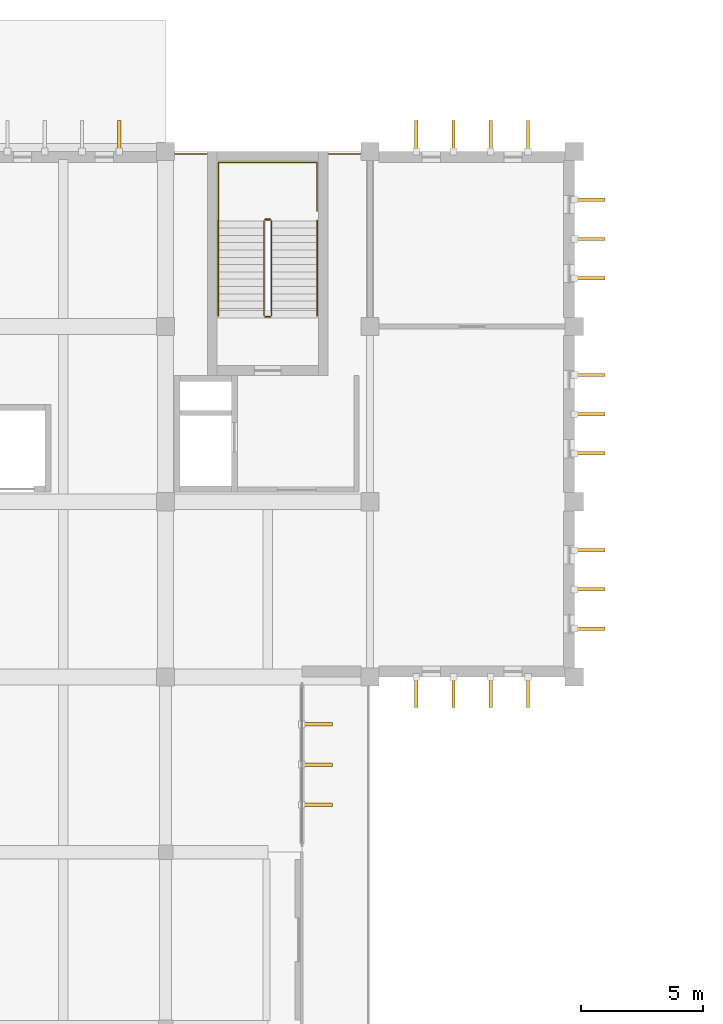
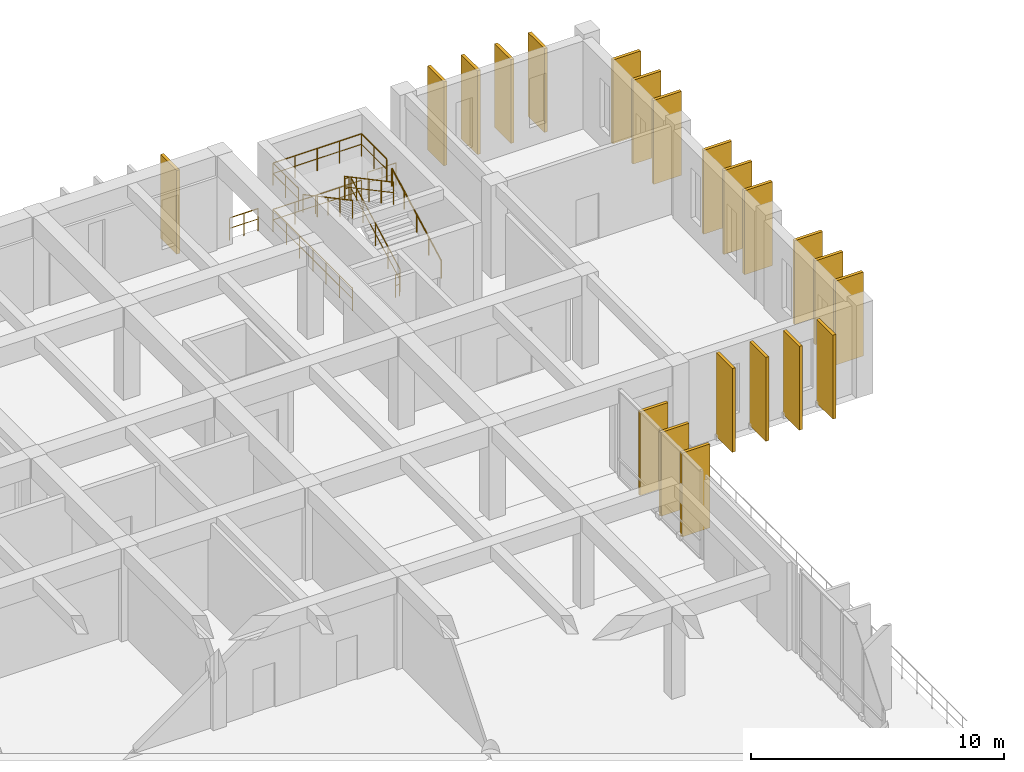
# One storey, part 23 of 23: 21 shading devices, 10 railings.
"""IFC4 building model written with IfcOpenShell, lengths in metres."""

import ifcopenshell
import ifcopenshell.guid

model = None  # the IFC model being written
_history = None  # IfcOwnerHistory: only IFC2X3 demands one
_inside = {}  # id of a spatial element -> (the spatial element, [elements in it])
_under = {}  # id of a project, library or spatial element -> (it, [spatial elements below it])
_declared = {}  # id of a project -> (the project, [libraries it declares])
_typed = {}  # id of a type object -> (the type object, [elements of that type])
_made_of = {}  # id of a material, layer set ... -> (it, [elements and type objects made of it])


def new_model(schema):
    """Start an empty IFC model of exactly this schema.

    Asked for "IFC4X3", IfcOpenShell would pick the latest addendum, in which some entities
    have other attributes; the version numbers below select the first issue.
    IFC2X3 requires an IfcOwnerHistory on every rooted entity: one is made here for all.
    """
    global model, _history
    if schema == "IFC4X3":
        model = ifcopenshell.file(schema_version=(4, 3, 0, 0))
    else:
        model = ifcopenshell.file(schema=schema)
    _inside.clear()
    _under.clear()
    _declared.clear()
    _typed.clear()
    _made_of.clear()
    _history = None
    if model.schema == "IFC2X3":
        org = make("IfcOrganization", Name="unknown")
        user = make(
            "IfcPersonAndOrganization",
            ThePerson=make("IfcPerson", FamilyName="unknown"),
            TheOrganization=org,
        )
        app = make(
            "IfcApplication",
            ApplicationDeveloper=org,
            Version="unknown",
            ApplicationFullName="unknown",
            ApplicationIdentifier="unknown",
        )
        _history = make(
            "IfcOwnerHistory",
            OwningUser=user,
            OwningApplication=app,
            ChangeAction="ADDED",
            CreationDate=0,
        )
    return model


def make(cls, **values):
    """One entity of the class cls with the attributes given. An attribute that is None is left unset."""
    return model.create_entity(
        cls, **{name: value for name, value in values.items() if value is not None}
    )


def rooted(cls, **values):
    """An entity with a GlobalId (a new one), such as an element, a storey or a relation."""
    return make(cls, GlobalId=ifcopenshell.guid.new(), OwnerHistory=_history, **values)


def si_unit(unit_type, name, prefix=None):
    """IfcSIUnit, for example si_unit("LENGTHUNIT", "METRE", prefix="MILLI")."""
    return make("IfcSIUnit", UnitType=unit_type, Prefix=prefix, Name=name)


def assignment(units):
    """IfcUnitAssignment: the units of a project."""
    return None if units is None else make("IfcUnitAssignment", Units=units)


def point(xyz):
    """IfcCartesianPoint."""
    return None if xyz is None else make("IfcCartesianPoint", Coordinates=xyz)


def direction(xyz):
    """IfcDirection."""
    return None if xyz is None else make("IfcDirection", DirectionRatios=xyz)


def frame(location, z_axis=None, x_axis=None):
    """IfcAxis2Placement3D, a coordinate frame: its origin and axes. An axis left out is left unset."""
    return make(
        "IfcAxis2Placement3D",
        Location=point(location),
        Axis=direction(z_axis),
        RefDirection=direction(x_axis),
    )


def frame_2d(location, x_axis=None):
    """IfcAxis2Placement2D, a coordinate frame in the plane: its origin and x axis."""
    return make(
        "IfcAxis2Placement2D", Location=point(location), RefDirection=direction(x_axis)
    )


def origin():
    """The frame at (0, 0, 0) with its axes left unset."""
    return frame((0.0, 0.0, 0.0))


def origin_2d():
    """The frame at (0, 0) in the plane with its x axis left unset."""
    return frame_2d((0.0, 0.0))


def place(relative_to, where):
    """IfcLocalPlacement: puts the frame where relative to a parent placement (None: the world)."""
    return make(
        "IfcLocalPlacement", PlacementRelTo=relative_to, RelativePlacement=where
    )


def context(
    kind, dimensions, precision=None, world=None, true_north=None, identifier=None
):
    """IfcGeometricRepresentationContext, for example the 3D "Model" context."""
    return make(
        "IfcGeometricRepresentationContext",
        ContextIdentifier=identifier,
        ContextType=kind,
        CoordinateSpaceDimension=dimensions,
        Precision=precision,
        WorldCoordinateSystem=world,
        TrueNorth=true_north,
    )


def subcontext(parent, identifier, kind, view, scale=None):
    """IfcGeometricRepresentationSubContext, for example "Body" below "Model"."""
    return make(
        "IfcGeometricRepresentationSubContext",
        ContextIdentifier=identifier,
        ContextType=kind,
        ParentContext=parent,
        TargetScale=scale,
        TargetView=view,
    )


def project(units=None, contexts=None):
    """IfcProject with its units and contexts."""
    return rooted(
        "IfcProject",
        Name="project",
        RepresentationContexts=contexts,
        UnitsInContext=assignment(units),
    )


def spatial(cls, under=None, at=None, **own):
    """A site, building, storey or space (cls), placed at a placement, below another one or the project."""
    s = rooted(cls, ObjectPlacement=at, **own)
    if under is not None:
        _under.setdefault(under.id(), (under, []))[1].append(s)
    return s


def profile(cls, at=None, kind="AREA", **sizes):
    """A parametric profile (cls). Its sizes go by their IFC names, for example OverallWidth=200.0."""
    return make(cls, ProfileType=kind, Position=at, **sizes)


def rectangle(**sizes):
    """IfcRectangleProfileDef."""
    return profile("IfcRectangleProfileDef", **sizes)


def circle(**sizes):
    """IfcCircleProfileDef."""
    return profile("IfcCircleProfileDef", **sizes)


def extrude(swept, where, along, depth):
    """IfcExtrudedAreaSolid: the profile swept, set in the frame where, extruded along a direction by depth."""
    return make(
        "IfcExtrudedAreaSolid",
        SweptArea=swept,
        Position=where,
        ExtrudedDirection=direction(along),
        Depth=depth,
    )


def shape(context_of_items, identifier, shape_type, items):
    """IfcShapeRepresentation: the items that make up one representation, for example the "Body"."""
    return make(
        "IfcShapeRepresentation",
        ContextOfItems=context_of_items,
        RepresentationIdentifier=identifier,
        RepresentationType=shape_type,
        Items=items,
    )


def material(Name=None, Category=None):
    """IfcMaterial."""
    return make("IfcMaterial", Name=Name, Category=Category)


def made_of(thing, what):
    """Note that an element or type object is made of a material, layer set ...; save() writes the relation."""
    if what is not None:
        _made_of.setdefault(what.id(), (what, []))[1].append(thing)
    return thing


def type_object(cls, material=None, **own):
    """A type object (cls), such as IfcWallType, which elements share."""
    return made_of(rooted(cls, **own), material)


def element(
    cls,
    number,
    at=None,
    inside=None,
    cuts=None,
    type_object=None,
    material=None,
    context=None,
    identifier="Body",
    shape_type=None,
    held_by="IfcProductDefinitionShape",
    body=None,
    shapes=None,
    **own,
):
    """One element of the class cls, such as IfcWall. Its Tag is "e" and its number.

    at: its placement. inside: the storey or other place that contains it. cuts: it is an
    opening in that element (IfcRelVoidsElement). A single representation is given by context,
    identifier, shape_type and body (its items); several are given by shapes. held_by: the class
    of the entity that holds the representations. save() writes the other relations.
    """
    e = rooted(cls, Tag="e%d" % number, ObjectPlacement=at, **own)
    if body is not None:
        shapes = [shape(context, identifier, shape_type, body)]
    if shapes is not None:
        e.Representation = make(held_by, Representations=shapes)
    if inside is not None:
        _inside.setdefault(inside.id(), (inside, []))[1].append(e)
    if cuts is not None:
        rooted(
            "IfcRelVoidsElement", RelatingBuildingElement=cuts, RelatedOpeningElement=e
        )
    if type_object is not None:
        _typed.setdefault(type_object.id(), (type_object, []))[1].append(e)
    return made_of(e, material)


def aggregate(whole, parts):
    """IfcRelAggregates: a whole, such as a stair, and the parts it consists of."""
    return rooted("IfcRelAggregates", RelatingObject=whole, RelatedObjects=parts)


def save(model, path):
    """Write the relations noted so far, then the file.

    IfcRelAggregates (storeys below a building ...), IfcRelContainedInSpatialStructure (elements
    in a storey), IfcRelDefinesByType, IfcRelAssociatesMaterial and IfcRelDeclares: one each for
    every whole, place, type object, material and project.
    """
    for whole, parts in _under.values():
        aggregate(whole, parts)
    for where, things in _inside.values():
        rooted(
            "IfcRelContainedInSpatialStructure",
            RelatedElements=things,
            RelatingStructure=where,
        )
    for kind, things in _typed.values():
        rooted("IfcRelDefinesByType", RelatedObjects=things, RelatingType=kind)
    for what, things in _made_of.values():
        rooted("IfcRelAssociatesMaterial", RelatedObjects=things, RelatingMaterial=what)
    for by, libraries in _declared.values():
        rooted("IfcRelDeclares", RelatingContext=by, RelatedDefinitions=libraries)
    model.write(path)


model = new_model("IFC4")

# Units and contexts
model_context = context("Model", 3, precision=1e-05, world=origin(), true_north=direction((0.0, 1.0)))
body_context = subcontext(model_context, "Body", "Model", "MODEL_VIEW")
ifc_project = project(units=[si_unit("LENGTHUNIT", "METRE"), si_unit("AREAUNIT", "SQUARE_METRE"), si_unit("VOLUMEUNIT", "CUBIC_METRE"), si_unit("PLANEANGLEUNIT", "RADIAN"), si_unit("MASSUNIT", "GRAM", prefix="KILO")], contexts=[model_context])

# Site, building, storey
site_placement = place(None, origin())
site = spatial("IfcSite", under=ifc_project, at=site_placement, CompositionType="ELEMENT")
building_placement = place(site_placement, origin())
building = spatial("IfcBuilding", under=site, at=building_placement, Name="Kenerak Square Central Library", CompositionType="ELEMENT")
storey_placement = place(building_placement, frame((0.0, 0.0, 18.8798828125)))
storey = spatial("IfcBuildingStorey", under=building, at=storey_placement, Name="L04", CompositionType="ELEMENT", Elevation=18.8798828125)

# Shading devices
ifc_material_1 = material(Name="White precast concrete C40/50", Category="concrete")
shading_device_type = type_object("IfcShadingDeviceType", Name="Precast Vertical Solar Fin SF-1280 C40/50", PredefinedType="USERDEFINED", material=ifc_material_1)
for number, where, z_axis, x_axis, name in (
    (1, (106.89501953125, 111.02001953125, 0.10009765625), (0.0, 0.0, 1.0), (1.0, 0.0, 0.0), "Precast Solar Fin FIN-01 L04 0377"),
    (2, (119.10498046875, 111.02001953125, 0.10009765625), (0.0, 0.0, 1.0), (1.0, 0.0, 0.0), "Precast Solar Fin FIN-01 L04 0378"),
    (3, (120.635009765625, 111.02001953125, 0.10009765625), (0.0, 0.0, 1.0), (1.0, 0.0, 0.0), "Precast Solar Fin FIN-01 L04 0379"),
    (4, (122.1650390625, 111.02001953125, 0.10009765625), (0.0, 0.0, 1.0), (1.0, 0.0, 0.0), "Precast Solar Fin FIN-01 L04 0380"),
    (5, (123.695068359375, 111.02001953125, 0.10009765625), (0.0, 0.0, 1.0), (1.0, 0.0, 0.0), "Precast Solar Fin FIN-01 L04 0381"),
    (6, (126.219970703125, 108.41259765625, 0.10009765625), (0.0, 0.0, 1.0), (0.0, -1.0, 0.0), "Precast Solar Fin FIN-01 L04 0382"),
    (7, (126.219970703125, 106.800048828125, 0.10009765625), (0.0, 0.0, 1.0), (0.0, -1.0, 0.0), "Precast Solar Fin FIN-01 L04 0383"),
    (8, (126.219970703125, 105.1875, 0.10009765625), (0.0, 0.0, 1.0), (0.0, -1.0, 0.0), "Precast Solar Fin FIN-01 L04 0384"),
    (9, (126.219970703125, 101.21240234375, 0.10009765625), (0.0, 0.0, 1.0), (0.0, -1.0, 0.0), "Precast Solar Fin FIN-01 L04 0385"),
    (10, (126.219970703125, 99.60009765625, 0.10009765625), (0.0, 0.0, 1.0), (0.0, -1.0, 0.0), "Precast Solar Fin FIN-01 L04 0386"),
    (11, (126.219970703125, 97.987548828125, 0.10009765625), (0.0, 0.0, 1.0), (0.0, -1.0, 0.0), "Precast Solar Fin FIN-01 L04 0387"),
    (12, (126.219970703125, 94.012451171875, 0.10009765625), (0.0, 0.0, 1.0), (0.0, -1.0, 0.0), "Precast Solar Fin FIN-01 L04 0388"),
    (13, (126.219970703125, 92.39990234375, 0.10009765625), (0.0, 0.0, 1.0), (0.0, -1.0, 0.0), "Precast Solar Fin FIN-01 L04 0389"),
    (14, (126.219970703125, 90.78759765625, 0.10009765625), (0.0, 0.0, 1.0), (0.0, -1.0, 0.0), "Precast Solar Fin FIN-01 L04 0390"),
    (15, (123.695068359375, 88.179931640625, 0.10009765625), (0.0, 0.0, 1.0), (-1.0, 0.0, 0.0), "Precast Solar Fin FIN-01 L04 0391"),
    (16, (122.1650390625, 88.179931640625, 0.10009765625), (0.0, 0.0, 1.0), (-1.0, 0.0, 0.0), "Precast Solar Fin FIN-01 L04 0392"),
    (17, (120.635009765625, 88.179931640625, 0.10009765625), (0.0, 0.0, 1.0), (-1.0, 0.0, 0.0), "Precast Solar Fin FIN-01 L04 0393"),
    (18, (119.10498046875, 88.179931640625, 0.10009765625), (0.0, 0.0, 1.0), (-1.0, 0.0, 0.0), "Precast Solar Fin FIN-01 L04 0394"),
    (19, (115.02001953125, 86.85009765625, 0.10009765625), (0.0, 0.0, 1.0), (0.0, -1.0, 0.0), "Precast Solar Fin FIN-01 L04 0395"),
    (20, (115.02001953125, 85.199951171875, 0.10009765625), (0.0, 0.0, 1.0), (0.0, -1.0, 0.0), "Precast Solar Fin FIN-01 L04 0396"),
    (21, (115.02001953125, 83.550048828125, 0.10009765625), (0.0, 0.0, 1.0), (0.0, -1.0, 0.0), "Precast Solar Fin FIN-01 L04 0397"),
):
    element("IfcShadingDevice", number, at=place(storey_placement, frame(where, z_axis=z_axis, x_axis=x_axis)), inside=storey, type_object=shading_device_type, Name=name, ObjectType="FIN", PredefinedType="USERDEFINED", context=body_context, shape_type="SweptSolid", body=[
        extrude(rectangle(XDim=0.139892578125, YDim=1.280029296875, at=origin_2d()), origin(), (0.0, 0.0, 1.0), 4.054931640625),
    ])

# Railings
ifc_material_2 = material(Name="Steel S355", Category="steel")
railing_type_1 = type_object("IfcRailingType", Name="Safety Guardrail GR-1100 S355", PredefinedType="GUARDRAIL", material=ifc_material_2)
railing_1_placement = place(storey_placement, frame((113.14990234375, 103.64990234375, 0.16015625)))
element("IfcRailing", 22, at=railing_1_placement, inside=storey, type_object=railing_type_1, Name="L04 ST-03 stair guard 1", PredefinedType="GUARDRAIL", context=body_context, shape_type="SweptSolid", body=[
    extrude(circle(Radius=0.02392578125, at=origin_2d()), frame((0.0, 0.0, 1.076171875), z_axis=(0.0, 0.882352941176, 0.470588235294), x_axis=(-1.0, 0.0, 0.0)), (0.0, 0.0, 1.0), 4.420166015625),
    extrude(circle(Radius=0.01806640625, at=origin_2d()), frame((0.0, 0.0, 0.572021484375), z_axis=(0.0, 0.882352941176, 0.470588235294), x_axis=(-1.0, 0.0, 0.0)), (0.0, 0.0, 1.0), 4.420166015625),
    extrude(circle(Radius=0.02099609375, at=origin_2d()), origin(), (0.0, 0.0, 1.0), 1.052001953125),
    extrude(circle(Radius=0.02099609375, at=origin_2d()), frame((0.0, 0.97509765625, 0.52001953125)), (0.0, 0.0, 1.0), 1.052001953125),
    extrude(circle(Radius=0.02099609375, at=origin_2d()), frame((0.0, 1.9501953125, 1.0400390625)), (0.0, 0.0, 1.0), 1.052001953125),
    extrude(circle(Radius=0.02099609375, at=origin_2d()), frame((0.0, 2.925048828125, 1.56005859375)), (0.0, 0.0, 1.0), 1.052001953125),
    extrude(circle(Radius=0.02099609375, at=origin_2d()), frame((0.0, 3.900146484375, 2.080078125)), (0.0, 0.0, 1.0), 1.052001953125),
])
railing_2_placement = place(storey_placement, frame((113.10009765625, 107.60009765625, 2.240234375)))
element("IfcRailing", 23, at=railing_2_placement, inside=storey, type_object=railing_type_1, Name="L04 ST-03 stair guard 2", PredefinedType="GUARDRAIL", context=body_context, shape_type="SweptSolid", body=[
    extrude(circle(Radius=0.02392578125, at=origin_2d()), frame((0.0, 0.0, 1.076171875), z_axis=(-1.0, 0.0, 0.0), x_axis=(0.0, -1.0, 0.0)), (0.0, 0.0, 1.0), 0.2001953125),
    extrude(circle(Radius=0.01806640625, at=origin_2d()), frame((0.0, 0.0, 0.572021484375), z_axis=(-1.0, 0.0, 0.0), x_axis=(0.0, -1.0, 0.0)), (0.0, 0.0, 1.0), 0.2001953125),
    extrude(circle(Radius=0.02099609375, at=origin_2d()), origin(), (0.0, 0.0, 1.0), 1.052001953125),
    extrude(circle(Radius=0.02099609375, at=origin_2d()), frame((-0.2001953125, 0.0, 0.0)), (0.0, 0.0, 1.0), 1.052001953125),
])
railing_3_placement = place(storey_placement, frame((112.85009765625, 107.550048828125, 2.400146484375)))
element("IfcRailing", 24, at=railing_3_placement, inside=storey, type_object=railing_type_1, Name="L04 ST-03 stair guard 3", PredefinedType="GUARDRAIL", context=body_context, shape_type="SweptSolid", body=[
    extrude(circle(Radius=0.02392578125, at=origin_2d()), frame((0.0, 0.0, 1.076171875), z_axis=(0.0, -0.882352941176, 0.470588235294), x_axis=(1.0, 0.0, 0.0)), (0.0, 0.0, 1.0), 4.420166015625),
    extrude(circle(Radius=0.01806640625, at=origin_2d()), frame((0.0, 0.0, 0.572021484375), z_axis=(0.0, -0.882352941176, 0.470588235294), x_axis=(1.0, 0.0, 0.0)), (0.0, 0.0, 1.0), 4.420166015625),
    extrude(circle(Radius=0.02099609375, at=origin_2d()), origin(), (0.0, 0.0, 1.0), 1.052001953125),
    extrude(circle(Radius=0.02099609375, at=origin_2d()), frame((0.0, -0.97509765625, 0.52001953125)), (0.0, 0.0, 1.0), 1.052001953125),
    extrude(circle(Radius=0.02099609375, at=origin_2d()), frame((0.0, -1.9501953125, 1.0400390625)), (0.0, 0.0, 1.0), 1.052001953125),
    extrude(circle(Radius=0.02099609375, at=origin_2d()), frame((0.0, -2.925048828125, 1.56005859375)), (0.0, 0.0, 1.0), 1.052001953125),
    extrude(circle(Radius=0.02099609375, at=origin_2d()), frame((0.0, -3.900146484375, 2.080078125)), (0.0, 0.0, 1.0), 1.052001953125),
])
railing_4_placement = place(storey_placement, frame((113.10009765625, 103.60009765625, 0.0)))
element("IfcRailing", 25, at=railing_4_placement, inside=storey, type_object=railing_type_1, Name="L04 ST-03 stair guard 4", PredefinedType="GUARDRAIL", context=body_context, shape_type="SweptSolid", body=[
    extrude(circle(Radius=0.02392578125, at=origin_2d()), frame((0.0, 0.0, 1.076171875), z_axis=(-1.0, 0.0, 0.0), x_axis=(0.0, -1.0, 0.0)), (0.0, 0.0, 1.0), 0.2001953125),
    extrude(circle(Radius=0.01806640625, at=origin_2d()), frame((0.0, 0.0, 0.572021484375), z_axis=(-1.0, 0.0, 0.0), x_axis=(0.0, -1.0, 0.0)), (0.0, 0.0, 1.0), 0.2001953125),
    extrude(circle(Radius=0.02099609375, at=origin_2d()), origin(), (0.0, 0.0, 1.0), 1.052001953125),
    extrude(circle(Radius=0.02099609375, at=origin_2d()), frame((-0.2001953125, 0.0, 0.0)), (0.0, 0.0, 1.0), 1.052001953125),
])
railing_5_placement = place(storey_placement, frame((110.97998046875, 107.949951171875, 2.240234375)))
element("IfcRailing", 26, at=railing_5_placement, inside=storey, type_object=railing_type_1, Name="Stair Half-Landing Guard ST-03 L04", PredefinedType="GUARDRAIL", context=body_context, shape_type="SweptSolid", body=[
    extrude(circle(Radius=0.02392578125, at=origin_2d()), frame((0.0, 0.0, 1.076171875), z_axis=(0.0, 1.0, 0.0), x_axis=(-1.0, 0.0, 0.0)), (0.0, 0.0, 1.0), 2.0),
    extrude(circle(Radius=0.01806640625, at=origin_2d()), frame((0.0, 0.0, 0.572021484375), z_axis=(0.0, 1.0, 0.0), x_axis=(-1.0, 0.0, 0.0)), (0.0, 0.0, 1.0), 2.0),
    extrude(circle(Radius=0.02392578125, at=origin_2d()), frame((0.0, 2.0, 1.076171875), z_axis=(1.0, 0.0, 0.0), x_axis=(0.0, 1.0, 0.0)), (0.0, 0.0, 1.0), 4.0400390625),
    extrude(circle(Radius=0.01806640625, at=origin_2d()), frame((0.0, 2.0, 0.572021484375), z_axis=(1.0, 0.0, 0.0), x_axis=(0.0, 1.0, 0.0)), (0.0, 0.0, 1.0), 4.0400390625),
    extrude(circle(Radius=0.02392578125, at=origin_2d()), frame((4.0400390625, 2.0, 1.076171875), z_axis=(0.0, -1.0, 0.0), x_axis=(1.0, 0.0, 0.0)), (0.0, 0.0, 1.0), 2.0),
    extrude(circle(Radius=0.01806640625, at=origin_2d()), frame((4.0400390625, 2.0, 0.572021484375), z_axis=(0.0, -1.0, 0.0), x_axis=(1.0, 0.0, 0.0)), (0.0, 0.0, 1.0), 2.0),
    extrude(circle(Radius=0.02099609375, at=origin_2d()), origin(), (0.0, 0.0, 1.0), 1.052001953125),
    extrude(circle(Radius=0.02099609375, at=origin_2d()), frame((0.0, 1.0, 0.0)), (0.0, 0.0, 1.0), 1.052001953125),
    extrude(circle(Radius=0.02099609375, at=origin_2d()), frame((0.0, 2.0, 0.0)), (0.0, 0.0, 1.0), 1.052001953125),
    extrude(circle(Radius=0.02099609375, at=origin_2d()), frame((1.010009765625, 2.0, 0.0)), (0.0, 0.0, 1.0), 1.052001953125),
    extrude(circle(Radius=0.02099609375, at=origin_2d()), frame((2.02001953125, 2.0, 0.0)), (0.0, 0.0, 1.0), 1.052001953125),
    extrude(circle(Radius=0.02099609375, at=origin_2d()), frame((3.030029296875, 2.0, 0.0)), (0.0, 0.0, 1.0), 1.052001953125),
    extrude(circle(Radius=0.02099609375, at=origin_2d()), frame((4.0400390625, 2.0, 0.0)), (0.0, 0.0, 1.0), 1.052001953125),
    extrude(circle(Radius=0.02099609375, at=origin_2d()), frame((4.0400390625, 1.0, 0.0)), (0.0, 0.0, 1.0), 1.052001953125),
    extrude(circle(Radius=0.02099609375, at=origin_2d()), frame((4.0400390625, 0.0, 0.0)), (0.0, 0.0, 1.0), 1.052001953125),
])
railing_6_placement = place(storey_placement, frame((110.97998046875, 103.64990234375, 0.0)))
element("IfcRailing", 27, at=railing_6_placement, inside=storey, type_object=railing_type_1, Name="Stair Well Floor Guard ST-03 L04", PredefinedType="GUARDRAIL", context=body_context, shape_type="SweptSolid", body=[
    extrude(circle(Radius=0.02392578125, at=origin_2d()), frame((0.0, 0.0, 1.076171875), z_axis=(0.0, 1.0, 0.0), x_axis=(-1.0, 0.0, 0.0)), (0.0, 0.0, 1.0), 6.300048828125),
    extrude(circle(Radius=0.01806640625, at=origin_2d()), frame((0.0, 0.0, 0.572021484375), z_axis=(0.0, 1.0, 0.0), x_axis=(-1.0, 0.0, 0.0)), (0.0, 0.0, 1.0), 6.300048828125),
    extrude(circle(Radius=0.02392578125, at=origin_2d()), frame((0.0, 6.300048828125, 1.076171875), z_axis=(1.0, 0.0, 0.0), x_axis=(0.0, 1.0, 0.0)), (0.0, 0.0, 1.0), 4.0400390625),
    extrude(circle(Radius=0.01806640625, at=origin_2d()), frame((0.0, 6.300048828125, 0.572021484375), z_axis=(1.0, 0.0, 0.0), x_axis=(0.0, 1.0, 0.0)), (0.0, 0.0, 1.0), 4.0400390625),
    extrude(circle(Radius=0.02099609375, at=origin_2d()), origin(), (0.0, 0.0, 1.0), 1.052001953125),
    extrude(circle(Radius=0.02099609375, at=origin_2d()), frame((0.0, 1.050048828125, 0.0)), (0.0, 0.0, 1.0), 1.052001953125),
    extrude(circle(Radius=0.02099609375, at=origin_2d()), frame((0.0, 2.10009765625, 0.0)), (0.0, 0.0, 1.0), 1.052001953125),
    extrude(circle(Radius=0.02099609375, at=origin_2d()), frame((0.0, 3.14990234375, 0.0)), (0.0, 0.0, 1.0), 1.052001953125),
    extrude(circle(Radius=0.02099609375, at=origin_2d()), frame((0.0, 4.199951171875, 0.0)), (0.0, 0.0, 1.0), 1.052001953125),
    extrude(circle(Radius=0.02099609375, at=origin_2d()), frame((0.0, 5.25, 0.0)), (0.0, 0.0, 1.0), 1.052001953125),
    extrude(circle(Radius=0.02099609375, at=origin_2d()), frame((0.0, 6.300048828125, 0.0)), (0.0, 0.0, 1.0), 1.052001953125),
    extrude(circle(Radius=0.02099609375, at=origin_2d()), frame((1.010009765625, 6.300048828125, 0.0)), (0.0, 0.0, 1.0), 1.052001953125),
    extrude(circle(Radius=0.02099609375, at=origin_2d()), frame((2.02001953125, 6.300048828125, 0.0)), (0.0, 0.0, 1.0), 1.052001953125),
    extrude(circle(Radius=0.02099609375, at=origin_2d()), frame((3.030029296875, 6.300048828125, 0.0)), (0.0, 0.0, 1.0), 1.052001953125),
    extrude(circle(Radius=0.02099609375, at=origin_2d()), frame((4.0400390625, 6.300048828125, 0.0)), (0.0, 0.0, 1.0), 1.052001953125),
])
for number, where, name in (
    (28, (109.197021484375, 110.300048828125, 0.0), "Perimeter Edge Guardrail L04 109-1"),
    (29, (115.501953125, 110.300048828125, 0.0), "Perimeter Edge Guardrail L04 115-2"),
):
    element("IfcRailing", number, at=place(storey_placement, frame(where)), inside=storey, type_object=railing_type_1, Name=name, PredefinedType="GUARDRAIL", context=body_context, shape_type="SweptSolid", body=[
        extrude(circle(Radius=0.02392578125, at=origin_2d()), frame((0.0, 0.0, 1.076171875), z_axis=(1.0, 0.0, 0.0), x_axis=(0.0, 1.0, 0.0)), (0.0, 0.0, 1.0), 1.301025390625),
        extrude(circle(Radius=0.01806640625, at=origin_2d()), frame((0.0, 0.0, 0.572021484375), z_axis=(1.0, 0.0, 0.0), x_axis=(0.0, 1.0, 0.0)), (0.0, 0.0, 1.0), 1.301025390625),
        extrude(circle(Radius=0.02099609375, at=origin_2d()), origin(), (0.0, 0.0, 1.0), 1.052001953125),
        extrude(circle(Radius=0.02099609375, at=origin_2d()), frame((0.650390625, 0.0, 0.0)), (0.0, 0.0, 1.0), 1.052001953125),
        extrude(circle(Radius=0.02099609375, at=origin_2d()), frame((1.301025390625, 0.0, 0.0)), (0.0, 0.0, 1.0), 1.052001953125),
    ])
railing_type_2 = type_object("IfcRailingType", Name="Stair Handrail HR-880 S355", PredefinedType="HANDRAIL", material=ifc_material_2)
railing_7_placement = place(storey_placement, frame((115.030029296875, 103.64990234375, 0.16015625)))
element("IfcRailing", 30, at=railing_7_placement, inside=storey, type_object=railing_type_2, Name="L04 ST-03 stair handrail 1", PredefinedType="HANDRAIL", context=body_context, shape_type="SweptSolid", body=[
    extrude(circle(Radius=0.02392578125, at=origin_2d()), frame((0.0, 0.0, 0.85595703125), z_axis=(0.0, 0.882352941176, 0.470588235294), x_axis=(-1.0, 0.0, 0.0)), (0.0, 0.0, 1.0), 4.420166015625),
    extrude(circle(Radius=0.02099609375, at=origin_2d()), origin(), (0.0, 0.0, 1.0), 0.831787109375),
    extrude(circle(Radius=0.02099609375, at=origin_2d()), frame((0.0, 0.97509765625, 0.52001953125)), (0.0, 0.0, 1.0), 0.831787109375),
    extrude(circle(Radius=0.02099609375, at=origin_2d()), frame((0.0, 1.9501953125, 1.0400390625)), (0.0, 0.0, 1.0), 0.831787109375),
    extrude(circle(Radius=0.02099609375, at=origin_2d()), frame((0.0, 2.925048828125, 1.56005859375)), (0.0, 0.0, 1.0), 0.831787109375),
    extrude(circle(Radius=0.02099609375, at=origin_2d()), frame((0.0, 3.900146484375, 2.080078125)), (0.0, 0.0, 1.0), 0.831787109375),
])
railing_8_placement = place(storey_placement, frame((110.969970703125, 107.550048828125, 2.400146484375)))
element("IfcRailing", 31, at=railing_8_placement, inside=storey, type_object=railing_type_2, Name="L04 ST-03 stair handrail 2", PredefinedType="HANDRAIL", context=body_context, shape_type="SweptSolid", body=[
    extrude(circle(Radius=0.02392578125, at=origin_2d()), frame((0.0, 0.0, 0.85595703125), z_axis=(0.0, -0.882352941176, 0.470588235294), x_axis=(1.0, 0.0, 0.0)), (0.0, 0.0, 1.0), 4.420166015625),
    extrude(circle(Radius=0.02099609375, at=origin_2d()), origin(), (0.0, 0.0, 1.0), 0.831787109375),
    extrude(circle(Radius=0.02099609375, at=origin_2d()), frame((0.0, -0.97509765625, 0.52001953125)), (0.0, 0.0, 1.0), 0.831787109375),
    extrude(circle(Radius=0.02099609375, at=origin_2d()), frame((0.0, -1.9501953125, 1.0400390625)), (0.0, 0.0, 1.0), 0.831787109375),
    extrude(circle(Radius=0.02099609375, at=origin_2d()), frame((0.0, -2.925048828125, 1.56005859375)), (0.0, 0.0, 1.0), 0.831787109375),
    extrude(circle(Radius=0.02099609375, at=origin_2d()), frame((0.0, -3.900146484375, 2.080078125)), (0.0, 0.0, 1.0), 0.831787109375),
])

save(model, "model.ifc")
